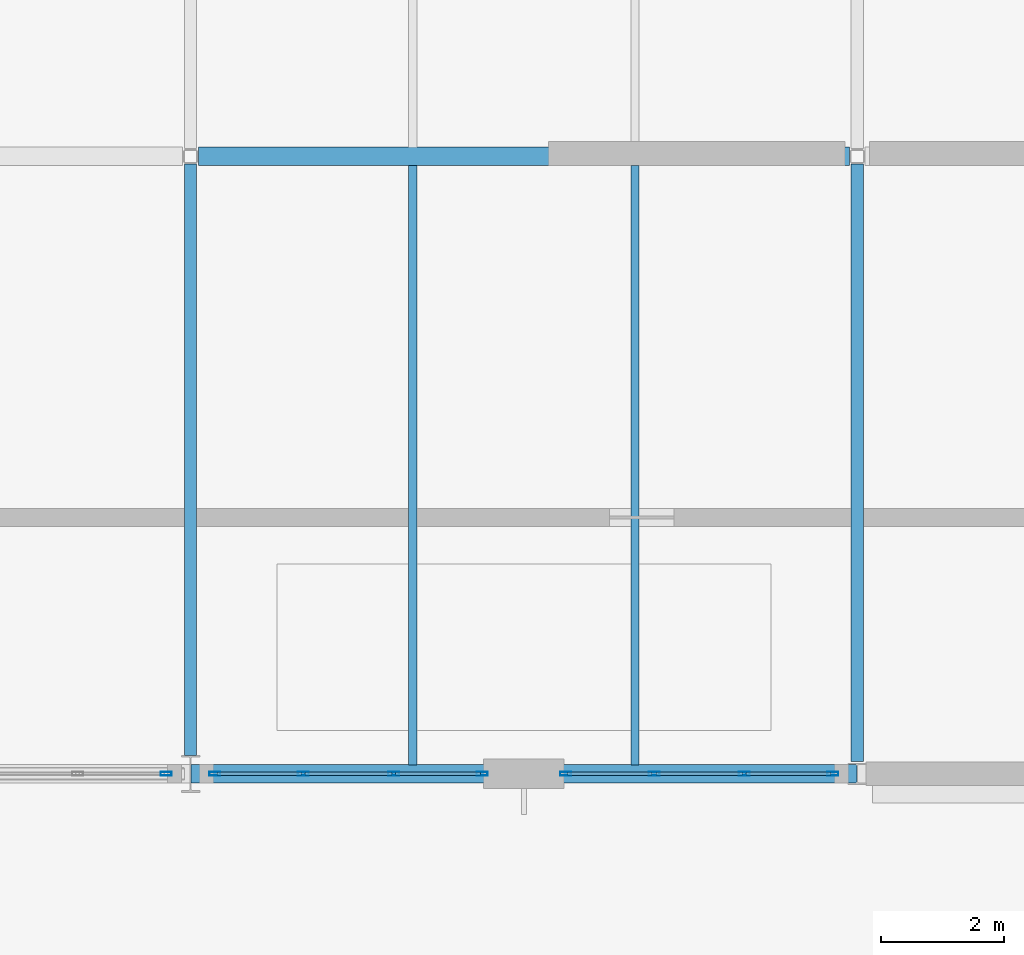
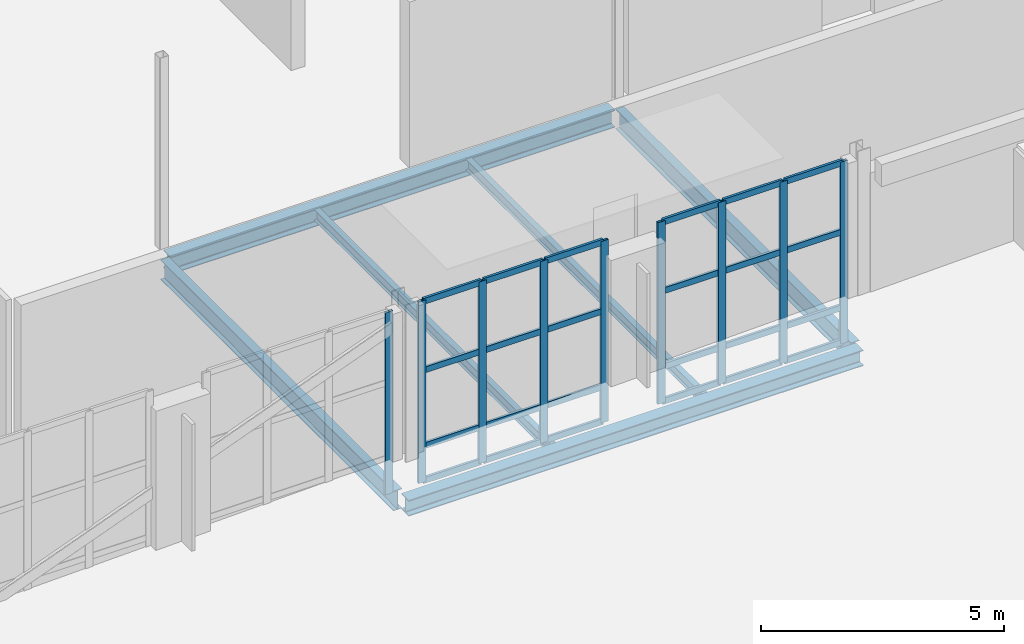
# One storey, part 21 of 86: 33 members, 6 beams, 3 elements without a shape of their own.
"""IFC4 building model written with IfcOpenShell, lengths in metres."""

from ifc_helpers import new_model, si_unit, direction, frame, origin, origin_2d, place, context, subcontext, project, spatial, hollow_rectangle, i_section, extrude, material, layer, layer_set, material_profile, profile_set, type_object, element, aggregate, save


model = new_model("IFC4")

# Units and contexts
model_context = context("Model", 3, precision=1e-05, world=origin(), true_north=direction((0.0, 1.0)))
body_context = subcontext(model_context, "Body", "Model", "MODEL_VIEW")
ifc_project = project(units=[si_unit("LENGTHUNIT", "METRE"), si_unit("AREAUNIT", "SQUARE_METRE"), si_unit("VOLUMEUNIT", "CUBIC_METRE"), si_unit("PLANEANGLEUNIT", "RADIAN"), si_unit("MASSUNIT", "GRAM", prefix="KILO")], contexts=[model_context])

# Site, building, storey
site_placement = place(None, origin())
site = spatial("IfcSite", under=ifc_project, at=site_placement, CompositionType="ELEMENT")
building_placement = place(site_placement, origin())
building = spatial("IfcBuilding", under=site, at=building_placement, Name="Tasgan Crest Museum", CompositionType="ELEMENT")
storey_placement = place(building_placement, frame((0.0, 0.0, 24.0)))
storey = spatial("IfcBuildingStorey", under=building, at=storey_placement, Name="L04", CompositionType="ELEMENT", Elevation=24.0)

# Beams
ifc_material_1 = material(Name="Steel S355J2", Category="steel")
ifc_material_profile_1 = material_profile(ifc_material_1, i_section(OverallWidth=0.300048828125, OverallDepth=0.43994140625, WebThickness=0.011474609375, FlangeThickness=0.02099609375, FilletRadius=0.027099609375, at=origin_2d()), Name="HEA 450")
ifc_profile_set_1 = profile_set([ifc_material_profile_1], Name="Steel S355J2")
beam_type_1 = type_object("IfcBeamType", Name="BM-G-HEA450", PredefinedType="BEAM", material=ifc_profile_set_1)
beam_1_placement = place(storey_placement, frame((32.52587890625, 92.0, -0.4599609375), z_axis=(1.0, 0.0, 0.0), x_axis=(0.0, 1.0, 0.0)))
element("IfcBeam", 1, at=beam_1_placement, inside=storey, type_object=beam_type_1, Name="Girder L04 K 32.4-43.2", PredefinedType="BEAM", context=body_context, shape_type="SweptSolid", body=[
    extrude(i_section(OverallWidth=0.300048828125, OverallDepth=0.43994140625, WebThickness=0.011474609375, FlangeThickness=0.02099609375, FilletRadius=0.027099609375, at=origin_2d()), origin(), (0.0, 0.0, 1.0), 10.548095703125),
])
ifc_material_2 = material(Name="Steel S355J2", Category="steel")
ifc_material_profile_2 = material_profile(ifc_material_2, i_section(OverallWidth=0.300048828125, OverallDepth=0.39990234375, WebThickness=0.013427734375, FlangeThickness=0.02392578125, FilletRadius=0.027099609375, at=origin_2d()), Name="HEB 400")
ifc_profile_set_2 = profile_set([ifc_material_profile_2], Name="Steel S355J2")
beam_type_2 = type_object("IfcBeamType", Name="BM-G-HEB400", PredefinedType="BEAM", material=ifc_profile_set_2)
beam_2_placement = place(storey_placement, frame((32.40576171875, 82.0, -0.43994140625), z_axis=(1.0, 0.0, 0.0), x_axis=(0.0, 1.0, 0.0)))
element("IfcBeam", 2, at=beam_2_placement, inside=storey, type_object=beam_type_2, Name="Girder L04 J 32.4-43.2", PredefinedType="BEAM", context=body_context, shape_type="SweptSolid", body=[
    extrude(i_section(OverallWidth=0.300048828125, OverallDepth=0.39990234375, WebThickness=0.013427734375, FlangeThickness=0.02392578125, FilletRadius=0.027099609375, at=origin_2d()), origin(), (0.0, 0.0, 1.0), 10.78955078125),
])
ifc_material_3 = material(Name="Steel S355J2", Category="steel")
ifc_material_profile_3 = material_profile(ifc_material_3, i_section(OverallWidth=0.199951171875, OverallDepth=0.5, WebThickness=0.01025390625, FlangeThickness=0.01611328125, FilletRadius=0.02099609375, at=origin_2d()), Name="IPE 500")
ifc_profile_set_3 = profile_set([ifc_material_profile_3], Name="Steel S355J2")
beam_type_3 = type_object("IfcBeamType", Name="BM-G-IPE500", PredefinedType="BEAM", material=ifc_profile_set_3)
beam_3_placement = place(storey_placement, frame((32.39990234375, 82.294921875, -0.489990234375), z_axis=(0.0, 1.0, 0.0), x_axis=(-1.0, 0.0, 0.0)))
element("IfcBeam", 3, at=beam_3_placement, inside=storey, type_object=beam_type_3, Name="Beam L04 4 82.0-92.0", PredefinedType="BEAM", context=body_context, shape_type="SweptSolid", body=[
    extrude(i_section(OverallWidth=0.199951171875, OverallDepth=0.5, WebThickness=0.01025390625, FlangeThickness=0.01611328125, FilletRadius=0.02099609375, at=origin_2d()), origin(), (0.0, 0.0, 1.0), 9.580078125),
])
beam_4_placement = place(storey_placement, frame((43.199951171875, 82.195068359375, -0.489990234375), z_axis=(0.0, 1.0, 0.0), x_axis=(-1.0, 0.0, 0.0)))
element("IfcBeam", 4, at=beam_4_placement, inside=storey, type_object=beam_type_3, Name="Beam L04 5 82.0-92.0", PredefinedType="BEAM", context=body_context, shape_type="SweptSolid", body=[
    extrude(i_section(OverallWidth=0.199951171875, OverallDepth=0.5, WebThickness=0.01025390625, FlangeThickness=0.01611328125, FilletRadius=0.02099609375, at=origin_2d()), origin(), (0.0, 0.0, 1.0), 9.679931640625),
])
ifc_material_4 = material(Name="Steel S355J2", Category="steel")
ifc_material_profile_4 = material_profile(ifc_material_4, i_section(OverallWidth=0.135009765625, OverallDepth=0.27001953125, WebThickness=0.006591796875, FlangeThickness=0.01025390625, FilletRadius=0.014892578125, at=origin_2d()), Name="IPE 270")
ifc_profile_set_4 = profile_set([ifc_material_profile_4], Name="Steel S355J2")
beam_type_4 = type_object("IfcBeamType", Name="BM-J-IPE270", PredefinedType="JOIST", material=ifc_profile_set_4)
for number, where, z_axis, x_axis, name in (
    (5, (36.0, 82.14501953125, -0.375), (0.0, 1.0, 0.0), (-1.0, 0.0, 0.0), "Secondary joist L04 X=36.0 Y=82.0-92.0"),
    (6, (39.60009765625, 82.14501953125, -0.375), (0.0, 1.0, 0.0), (-1.0, 0.0, 0.0), "Secondary joist L04 X=39.6 Y=82.0-92.0"),
):
    element("IfcBeam", number, at=place(storey_placement, frame(where, z_axis=z_axis, x_axis=x_axis)), inside=storey, type_object=beam_type_4, Name=name, PredefinedType="JOIST", context=body_context, shape_type="SweptSolid", body=[
        extrude(i_section(OverallWidth=0.135009765625, OverallDepth=0.27001953125, WebThickness=0.006591796875, FlangeThickness=0.01025390625, FilletRadius=0.014892578125, at=origin_2d()), origin(), (0.0, 0.0, 1.0), 9.7099609375),
    ])

# Curtain wall, member
ifc_material_5 = material(Name="Triple-Glazed Aluminium Curtain Wall", Category="aluminium")
ifc_layer = layer(ifc_material_5, 0.179931640625, Name="CW-GAL-X-48")
ifc_layer_set = layer_set([ifc_layer], Name="Triple-Glazed Aluminium Curtain Wall")
curtain_wall_type = type_object("IfcCurtainWallType", Name="CW-GAL-X-48", PredefinedType="NOTDEFINED", material=ifc_layer_set)
curtain_wall_1_placement = place(storey_placement, origin())
curtain_wall_1 = element("IfcCurtainWall", 7, at=curtain_wall_1_placement, inside=storey, type_object=curtain_wall_type, Name="Curtain wall L04 174", PredefinedType="NOTDEFINED")
ifc_material_6 = material(Name="Anodised Aluminium", Category="aluminium")
ifc_material_profile_5 = material_profile(ifc_material_6, hollow_rectangle(XDim=0.06494140625, YDim=0.179931640625, WallThickness=0.0048828125, at=origin_2d()), Name="ALU MULLION 180x65x5")
ifc_profile_set_5 = profile_set([ifc_material_profile_5], Name="Anodised Aluminium")
member_type_1 = type_object("IfcMemberType", Name="CW-MULLION-180", PredefinedType="MULLION", material=ifc_profile_set_5)
member_1_placement = place(storey_placement, frame((32.0048828125, 82.0, 0.0), z_axis=(0.0, 0.0, 1.0), x_axis=(0.0, 1.0, 0.0)))
member_1 = element("IfcMember", 8, at=member_1_placement, type_object=member_type_1, Name="CW13 mullion 4", PredefinedType="MULLION", context=body_context, shape_type="SweptSolid", body=[
    extrude(hollow_rectangle(XDim=0.06494140625, YDim=0.179931640625, WallThickness=0.0048828125, at=origin_2d()), origin(), (0.0, 0.0, 1.0), 4.56005859375),
])
aggregate(curtain_wall_1, [member_1])

# Curtain wall, members
curtain_wall_2_placement = place(storey_placement, origin())
curtain_wall_2 = element("IfcCurtainWall", 9, at=curtain_wall_2_placement, inside=storey, type_object=curtain_wall_type, Name="Curtain wall L04 175", PredefinedType="NOTDEFINED")
member_2_placement = place(storey_placement, frame((32.794921875, 82.0, 0.0), z_axis=(0.0, 0.0, 1.0), x_axis=(0.0, 1.0, 0.0)))
member_2 = element("IfcMember", 10, at=member_2_placement, type_object=member_type_1, Name="CW13 mullion 1", PredefinedType="MULLION", context=body_context, shape_type="SweptSolid", body=[
    extrude(hollow_rectangle(XDim=0.06494140625, YDim=0.179931640625, WallThickness=0.0048828125, at=origin_2d()), origin(), (0.0, 0.0, 1.0), 4.56005859375),
])
member_3_placement = place(storey_placement, frame((34.228271484375, 82.0, 0.0), z_axis=(0.0, 0.0, 1.0), x_axis=(0.0, 1.0, 0.0)))
member_3 = element("IfcMember", 11, at=member_3_placement, type_object=member_type_1, Name="CW13 mullion 2", PredefinedType="MULLION", context=body_context, shape_type="SweptSolid", body=[
    extrude(hollow_rectangle(XDim=0.06494140625, YDim=0.179931640625, WallThickness=0.0048828125, at=origin_2d()), origin(), (0.0, 0.0, 1.0), 4.56005859375),
])
member_4_placement = place(storey_placement, frame((35.691650390625, 82.0, 0.0), z_axis=(0.0, 0.0, 1.0), x_axis=(0.0, 1.0, 0.0)))
member_4 = element("IfcMember", 12, at=member_4_placement, type_object=member_type_1, Name="CW13 mullion 3", PredefinedType="MULLION", context=body_context, shape_type="SweptSolid", body=[
    extrude(hollow_rectangle(XDim=0.06494140625, YDim=0.179931640625, WallThickness=0.0048828125, at=origin_2d()), origin(), (0.0, 0.0, 1.0), 4.56005859375),
])
member_5_placement = place(storey_placement, frame((37.125, 82.0, 0.0), z_axis=(0.0, 0.0, 1.0), x_axis=(0.0, 1.0, 0.0)))
member_5 = element("IfcMember", 13, at=member_5_placement, type_object=member_type_1, Name="CW13 mullion 4", PredefinedType="MULLION", context=body_context, shape_type="SweptSolid", body=[
    extrude(hollow_rectangle(XDim=0.06494140625, YDim=0.179931640625, WallThickness=0.0048828125, at=origin_2d()), origin(), (0.0, 0.0, 1.0), 4.56005859375),
])

curtain_wall_3_placement = place(storey_placement, origin())
curtain_wall_3 = element("IfcCurtainWall", 14, at=curtain_wall_3_placement, inside=storey, type_object=curtain_wall_type, Name="Curtain wall L04 176", PredefinedType="NOTDEFINED")
member_6_placement = place(storey_placement, frame((38.47509765625, 82.0, 0.0), z_axis=(0.0, 0.0, 1.0), x_axis=(0.0, 1.0, 0.0)))
member_6 = element("IfcMember", 15, at=member_6_placement, type_object=member_type_1, Name="CW13 mullion 1", PredefinedType="MULLION", context=body_context, shape_type="SweptSolid", body=[
    extrude(hollow_rectangle(XDim=0.06494140625, YDim=0.179931640625, WallThickness=0.0048828125, at=origin_2d()), origin(), (0.0, 0.0, 1.0), 4.56005859375),
])
member_7_placement = place(storey_placement, frame((39.908447265625, 82.0, 0.0), z_axis=(0.0, 0.0, 1.0), x_axis=(0.0, 1.0, 0.0)))
member_7 = element("IfcMember", 16, at=member_7_placement, type_object=member_type_1, Name="CW13 mullion 2", PredefinedType="MULLION", context=body_context, shape_type="SweptSolid", body=[
    extrude(hollow_rectangle(XDim=0.06494140625, YDim=0.179931640625, WallThickness=0.0048828125, at=origin_2d()), origin(), (0.0, 0.0, 1.0), 4.56005859375),
])
member_8_placement = place(storey_placement, frame((41.37158203125, 82.0, 0.0), z_axis=(0.0, 0.0, 1.0), x_axis=(0.0, 1.0, 0.0)))
member_8 = element("IfcMember", 17, at=member_8_placement, type_object=member_type_1, Name="CW13 mullion 3", PredefinedType="MULLION", context=body_context, shape_type="SweptSolid", body=[
    extrude(hollow_rectangle(XDim=0.06494140625, YDim=0.179931640625, WallThickness=0.0048828125, at=origin_2d()), origin(), (0.0, 0.0, 1.0), 4.56005859375),
])
member_9_placement = place(storey_placement, frame((42.804931640625, 82.0, 0.0), z_axis=(0.0, 0.0, 1.0), x_axis=(0.0, 1.0, 0.0)))
member_9 = element("IfcMember", 18, at=member_9_placement, type_object=member_type_1, Name="CW13 mullion 4", PredefinedType="MULLION", context=body_context, shape_type="SweptSolid", body=[
    extrude(hollow_rectangle(XDim=0.06494140625, YDim=0.179931640625, WallThickness=0.0048828125, at=origin_2d()), origin(), (0.0, 0.0, 1.0), 4.56005859375),
])

# Member
ifc_material_7 = material(Name="Anodised Aluminium", Category="aluminium")
ifc_material_profile_6 = material_profile(ifc_material_7, hollow_rectangle(XDim=0.06005859375, YDim=0.14990234375, WallThickness=0.0048828125, at=origin_2d()), Name="ALU TRANSOM 150x60x5")
ifc_profile_set_6 = profile_set([ifc_material_profile_6], Name="Anodised Aluminium")
member_type_2 = type_object("IfcMemberType", Name="CW-TRANSOM-150", PredefinedType="USERDEFINED", material=ifc_profile_set_6)
member_10_placement = place(storey_placement, frame((32.824951171875, 82.0, 0.030029296875), z_axis=(1.0, 0.0, 0.0), x_axis=(0.0, 1.0, 0.0)))
member_10 = element("IfcMember", 19, at=member_10_placement, type_object=member_type_2, Name="CW13 transom 1.1", ObjectType="TRANSOM", PredefinedType="USERDEFINED", context=body_context, shape_type="SweptSolid", body=[
    extrude(hollow_rectangle(XDim=0.06005859375, YDim=0.14990234375, WallThickness=0.0048828125, at=origin_2d()), origin(), (0.0, 0.0, 1.0), 1.373291015625),
])

member_11_placement = place(storey_placement, frame((32.824951171875, 82.0, 0.89990234375), z_axis=(1.0, 0.0, 0.0), x_axis=(0.0, 1.0, 0.0)))
member_11 = element("IfcMember", 20, at=member_11_placement, type_object=member_type_2, Name="CW13 transom 1.2", ObjectType="TRANSOM", PredefinedType="USERDEFINED", context=body_context, shape_type="SweptSolid", body=[
    extrude(hollow_rectangle(XDim=0.06005859375, YDim=0.14990234375, WallThickness=0.0048828125, at=origin_2d()), origin(), (0.0, 0.0, 1.0), 1.373291015625),
])

member_12_placement = place(storey_placement, frame((32.824951171875, 82.0, 2.800048828125), z_axis=(1.0, 0.0, 0.0), x_axis=(0.0, 1.0, 0.0)))
member_12 = element("IfcMember", 21, at=member_12_placement, type_object=member_type_2, Name="CW13 transom 1.3", ObjectType="TRANSOM", PredefinedType="USERDEFINED", context=body_context, shape_type="SweptSolid", body=[
    extrude(hollow_rectangle(XDim=0.06005859375, YDim=0.14990234375, WallThickness=0.0048828125, at=origin_2d()), origin(), (0.0, 0.0, 1.0), 1.373291015625),
])

member_13_placement = place(storey_placement, frame((32.824951171875, 82.0, 4.530029296875), z_axis=(1.0, 0.0, 0.0), x_axis=(0.0, 1.0, 0.0)))
member_13 = element("IfcMember", 22, at=member_13_placement, type_object=member_type_2, Name="CW13 transom 1.4", ObjectType="TRANSOM", PredefinedType="USERDEFINED", context=body_context, shape_type="SweptSolid", body=[
    extrude(hollow_rectangle(XDim=0.06005859375, YDim=0.14990234375, WallThickness=0.0048828125, at=origin_2d()), origin(), (0.0, 0.0, 1.0), 1.373291015625),
])

member_14_placement = place(storey_placement, frame((34.25830078125, 82.0, 0.030029296875), z_axis=(1.0, 0.0, 0.0), x_axis=(0.0, 1.0, 0.0)))
member_14 = element("IfcMember", 23, at=member_14_placement, type_object=member_type_2, Name="CW13 transom 2.1", ObjectType="TRANSOM", PredefinedType="USERDEFINED", context=body_context, shape_type="SweptSolid", body=[
    extrude(hollow_rectangle(XDim=0.06005859375, YDim=0.14990234375, WallThickness=0.0048828125, at=origin_2d()), origin(), (0.0, 0.0, 1.0), 1.4033203125),
])

member_15_placement = place(storey_placement, frame((34.25830078125, 82.0, 0.89990234375), z_axis=(1.0, 0.0, 0.0), x_axis=(0.0, 1.0, 0.0)))
member_15 = element("IfcMember", 24, at=member_15_placement, type_object=member_type_2, Name="CW13 transom 2.2", ObjectType="TRANSOM", PredefinedType="USERDEFINED", context=body_context, shape_type="SweptSolid", body=[
    extrude(hollow_rectangle(XDim=0.06005859375, YDim=0.14990234375, WallThickness=0.0048828125, at=origin_2d()), origin(), (0.0, 0.0, 1.0), 1.4033203125),
])

member_16_placement = place(storey_placement, frame((34.25830078125, 82.0, 2.800048828125), z_axis=(1.0, 0.0, 0.0), x_axis=(0.0, 1.0, 0.0)))
member_16 = element("IfcMember", 25, at=member_16_placement, type_object=member_type_2, Name="CW13 transom 2.3", ObjectType="TRANSOM", PredefinedType="USERDEFINED", context=body_context, shape_type="SweptSolid", body=[
    extrude(hollow_rectangle(XDim=0.06005859375, YDim=0.14990234375, WallThickness=0.0048828125, at=origin_2d()), origin(), (0.0, 0.0, 1.0), 1.4033203125),
])

member_17_placement = place(storey_placement, frame((34.25830078125, 82.0, 4.530029296875), z_axis=(1.0, 0.0, 0.0), x_axis=(0.0, 1.0, 0.0)))
member_17 = element("IfcMember", 26, at=member_17_placement, type_object=member_type_2, Name="CW13 transom 2.4", ObjectType="TRANSOM", PredefinedType="USERDEFINED", context=body_context, shape_type="SweptSolid", body=[
    extrude(hollow_rectangle(XDim=0.06005859375, YDim=0.14990234375, WallThickness=0.0048828125, at=origin_2d()), origin(), (0.0, 0.0, 1.0), 1.4033203125),
])

member_18_placement = place(storey_placement, frame((35.7216796875, 82.0, 0.030029296875), z_axis=(1.0, 0.0, 0.0), x_axis=(0.0, 1.0, 0.0)))
member_18 = element("IfcMember", 27, at=member_18_placement, type_object=member_type_2, Name="CW13 transom 3.1", ObjectType="TRANSOM", PredefinedType="USERDEFINED", context=body_context, shape_type="SweptSolid", body=[
    extrude(hollow_rectangle(XDim=0.06005859375, YDim=0.14990234375, WallThickness=0.0048828125, at=origin_2d()), origin(), (0.0, 0.0, 1.0), 1.373291015625),
])

member_19_placement = place(storey_placement, frame((35.7216796875, 82.0, 0.89990234375), z_axis=(1.0, 0.0, 0.0), x_axis=(0.0, 1.0, 0.0)))
member_19 = element("IfcMember", 28, at=member_19_placement, type_object=member_type_2, Name="CW13 transom 3.2", ObjectType="TRANSOM", PredefinedType="USERDEFINED", context=body_context, shape_type="SweptSolid", body=[
    extrude(hollow_rectangle(XDim=0.06005859375, YDim=0.14990234375, WallThickness=0.0048828125, at=origin_2d()), origin(), (0.0, 0.0, 1.0), 1.373291015625),
])

member_20_placement = place(storey_placement, frame((35.7216796875, 82.0, 2.800048828125), z_axis=(1.0, 0.0, 0.0), x_axis=(0.0, 1.0, 0.0)))
member_20 = element("IfcMember", 29, at=member_20_placement, type_object=member_type_2, Name="CW13 transom 3.3", ObjectType="TRANSOM", PredefinedType="USERDEFINED", context=body_context, shape_type="SweptSolid", body=[
    extrude(hollow_rectangle(XDim=0.06005859375, YDim=0.14990234375, WallThickness=0.0048828125, at=origin_2d()), origin(), (0.0, 0.0, 1.0), 1.373291015625),
])

member_21_placement = place(storey_placement, frame((35.7216796875, 82.0, 4.530029296875), z_axis=(1.0, 0.0, 0.0), x_axis=(0.0, 1.0, 0.0)))
member_21 = element("IfcMember", 30, at=member_21_placement, type_object=member_type_2, Name="CW13 transom 3.4", ObjectType="TRANSOM", PredefinedType="USERDEFINED", context=body_context, shape_type="SweptSolid", body=[
    extrude(hollow_rectangle(XDim=0.06005859375, YDim=0.14990234375, WallThickness=0.0048828125, at=origin_2d()), origin(), (0.0, 0.0, 1.0), 1.373291015625),
])

aggregate(curtain_wall_2, [member_2, member_3, member_4, member_5, member_10, member_11, member_12, member_13, member_14, member_15, member_16, member_17, member_18, member_19, member_20, member_21])

member_22_placement = place(storey_placement, frame((38.5048828125, 82.0, 0.030029296875), z_axis=(1.0, 0.0, 0.0), x_axis=(0.0, 1.0, 0.0)))
member_22 = element("IfcMember", 31, at=member_22_placement, type_object=member_type_2, Name="CW13 transom 1.1", ObjectType="TRANSOM", PredefinedType="USERDEFINED", context=body_context, shape_type="SweptSolid", body=[
    extrude(hollow_rectangle(XDim=0.06005859375, YDim=0.14990234375, WallThickness=0.0048828125, at=origin_2d()), origin(), (0.0, 0.0, 1.0), 1.37353515625),
])

member_23_placement = place(storey_placement, frame((38.5048828125, 82.0, 0.89990234375), z_axis=(1.0, 0.0, 0.0), x_axis=(0.0, 1.0, 0.0)))
member_23 = element("IfcMember", 32, at=member_23_placement, type_object=member_type_2, Name="CW13 transom 1.2", ObjectType="TRANSOM", PredefinedType="USERDEFINED", context=body_context, shape_type="SweptSolid", body=[
    extrude(hollow_rectangle(XDim=0.06005859375, YDim=0.14990234375, WallThickness=0.0048828125, at=origin_2d()), origin(), (0.0, 0.0, 1.0), 1.37353515625),
])

member_24_placement = place(storey_placement, frame((38.5048828125, 82.0, 2.800048828125), z_axis=(1.0, 0.0, 0.0), x_axis=(0.0, 1.0, 0.0)))
member_24 = element("IfcMember", 33, at=member_24_placement, type_object=member_type_2, Name="CW13 transom 1.3", ObjectType="TRANSOM", PredefinedType="USERDEFINED", context=body_context, shape_type="SweptSolid", body=[
    extrude(hollow_rectangle(XDim=0.06005859375, YDim=0.14990234375, WallThickness=0.0048828125, at=origin_2d()), origin(), (0.0, 0.0, 1.0), 1.37353515625),
])

member_25_placement = place(storey_placement, frame((38.5048828125, 82.0, 4.530029296875), z_axis=(1.0, 0.0, 0.0), x_axis=(0.0, 1.0, 0.0)))
member_25 = element("IfcMember", 34, at=member_25_placement, type_object=member_type_2, Name="CW13 transom 1.4", ObjectType="TRANSOM", PredefinedType="USERDEFINED", context=body_context, shape_type="SweptSolid", body=[
    extrude(hollow_rectangle(XDim=0.06005859375, YDim=0.14990234375, WallThickness=0.0048828125, at=origin_2d()), origin(), (0.0, 0.0, 1.0), 1.37353515625),
])

member_26_placement = place(storey_placement, frame((39.938232421875, 82.0, 0.030029296875), z_axis=(1.0, 0.0, 0.0), x_axis=(0.0, 1.0, 0.0)))
member_26 = element("IfcMember", 35, at=member_26_placement, type_object=member_type_2, Name="CW13 transom 2.1", ObjectType="TRANSOM", PredefinedType="USERDEFINED", context=body_context, shape_type="SweptSolid", body=[
    extrude(hollow_rectangle(XDim=0.06005859375, YDim=0.14990234375, WallThickness=0.0048828125, at=origin_2d()), origin(), (0.0, 0.0, 1.0), 1.4033203125),
])

member_27_placement = place(storey_placement, frame((39.938232421875, 82.0, 0.89990234375), z_axis=(1.0, 0.0, 0.0), x_axis=(0.0, 1.0, 0.0)))
member_27 = element("IfcMember", 36, at=member_27_placement, type_object=member_type_2, Name="CW13 transom 2.2", ObjectType="TRANSOM", PredefinedType="USERDEFINED", context=body_context, shape_type="SweptSolid", body=[
    extrude(hollow_rectangle(XDim=0.06005859375, YDim=0.14990234375, WallThickness=0.0048828125, at=origin_2d()), origin(), (0.0, 0.0, 1.0), 1.4033203125),
])

member_28_placement = place(storey_placement, frame((39.938232421875, 82.0, 2.800048828125), z_axis=(1.0, 0.0, 0.0), x_axis=(0.0, 1.0, 0.0)))
member_28 = element("IfcMember", 37, at=member_28_placement, type_object=member_type_2, Name="CW13 transom 2.3", ObjectType="TRANSOM", PredefinedType="USERDEFINED", context=body_context, shape_type="SweptSolid", body=[
    extrude(hollow_rectangle(XDim=0.06005859375, YDim=0.14990234375, WallThickness=0.0048828125, at=origin_2d()), origin(), (0.0, 0.0, 1.0), 1.4033203125),
])

member_29_placement = place(storey_placement, frame((39.938232421875, 82.0, 4.530029296875), z_axis=(1.0, 0.0, 0.0), x_axis=(0.0, 1.0, 0.0)))
member_29 = element("IfcMember", 38, at=member_29_placement, type_object=member_type_2, Name="CW13 transom 2.4", ObjectType="TRANSOM", PredefinedType="USERDEFINED", context=body_context, shape_type="SweptSolid", body=[
    extrude(hollow_rectangle(XDim=0.06005859375, YDim=0.14990234375, WallThickness=0.0048828125, at=origin_2d()), origin(), (0.0, 0.0, 1.0), 1.4033203125),
])

member_30_placement = place(storey_placement, frame((41.401611328125, 82.0, 0.030029296875), z_axis=(1.0, 0.0, 0.0), x_axis=(0.0, 1.0, 0.0)))
member_30 = element("IfcMember", 39, at=member_30_placement, type_object=member_type_2, Name="CW13 transom 3.1", ObjectType="TRANSOM", PredefinedType="USERDEFINED", context=body_context, shape_type="SweptSolid", body=[
    extrude(hollow_rectangle(XDim=0.06005859375, YDim=0.14990234375, WallThickness=0.0048828125, at=origin_2d()), origin(), (0.0, 0.0, 1.0), 1.373291015625),
])

member_31_placement = place(storey_placement, frame((41.401611328125, 82.0, 0.89990234375), z_axis=(1.0, 0.0, 0.0), x_axis=(0.0, 1.0, 0.0)))
member_31 = element("IfcMember", 40, at=member_31_placement, type_object=member_type_2, Name="CW13 transom 3.2", ObjectType="TRANSOM", PredefinedType="USERDEFINED", context=body_context, shape_type="SweptSolid", body=[
    extrude(hollow_rectangle(XDim=0.06005859375, YDim=0.14990234375, WallThickness=0.0048828125, at=origin_2d()), origin(), (0.0, 0.0, 1.0), 1.373291015625),
])

member_32_placement = place(storey_placement, frame((41.401611328125, 82.0, 2.800048828125), z_axis=(1.0, 0.0, 0.0), x_axis=(0.0, 1.0, 0.0)))
member_32 = element("IfcMember", 41, at=member_32_placement, type_object=member_type_2, Name="CW13 transom 3.3", ObjectType="TRANSOM", PredefinedType="USERDEFINED", context=body_context, shape_type="SweptSolid", body=[
    extrude(hollow_rectangle(XDim=0.06005859375, YDim=0.14990234375, WallThickness=0.0048828125, at=origin_2d()), origin(), (0.0, 0.0, 1.0), 1.373291015625),
])

member_33_placement = place(storey_placement, frame((41.401611328125, 82.0, 4.530029296875), z_axis=(1.0, 0.0, 0.0), x_axis=(0.0, 1.0, 0.0)))
member_33 = element("IfcMember", 42, at=member_33_placement, type_object=member_type_2, Name="CW13 transom 3.4", ObjectType="TRANSOM", PredefinedType="USERDEFINED", context=body_context, shape_type="SweptSolid", body=[
    extrude(hollow_rectangle(XDim=0.06005859375, YDim=0.14990234375, WallThickness=0.0048828125, at=origin_2d()), origin(), (0.0, 0.0, 1.0), 1.373291015625),
])

aggregate(curtain_wall_3, [member_6, member_7, member_8, member_9, member_22, member_23, member_24, member_25, member_26, member_27, member_28, member_29, member_30, member_31, member_32, member_33])

save(model, "model.ifc")
